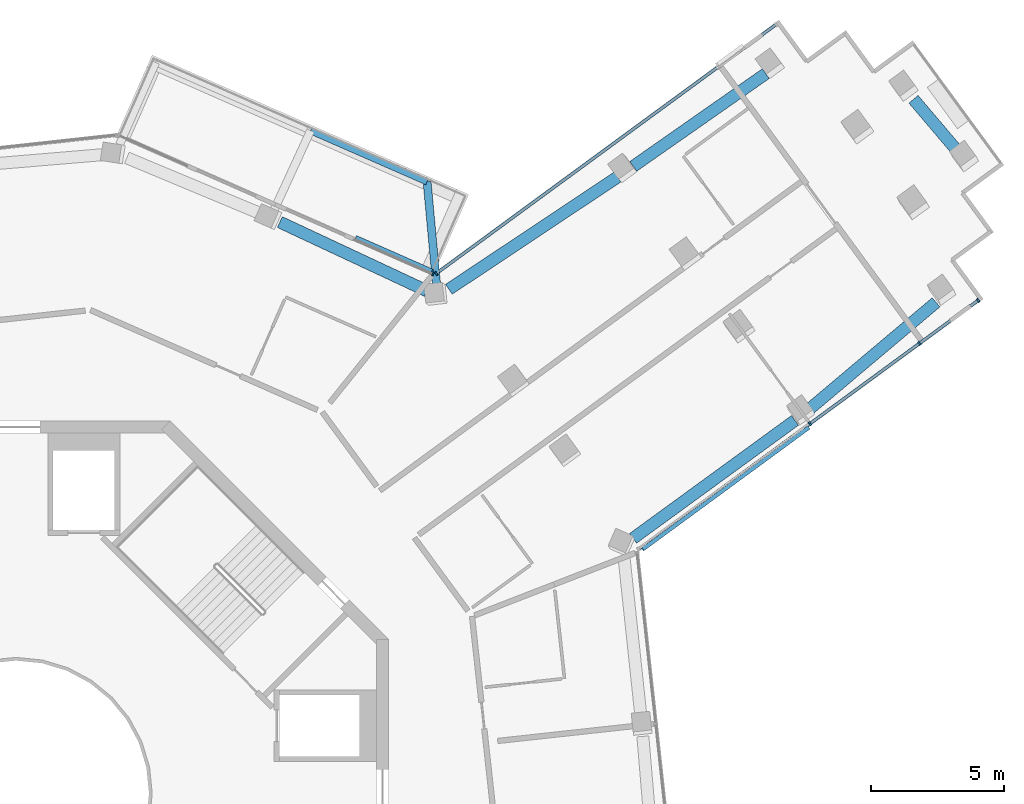
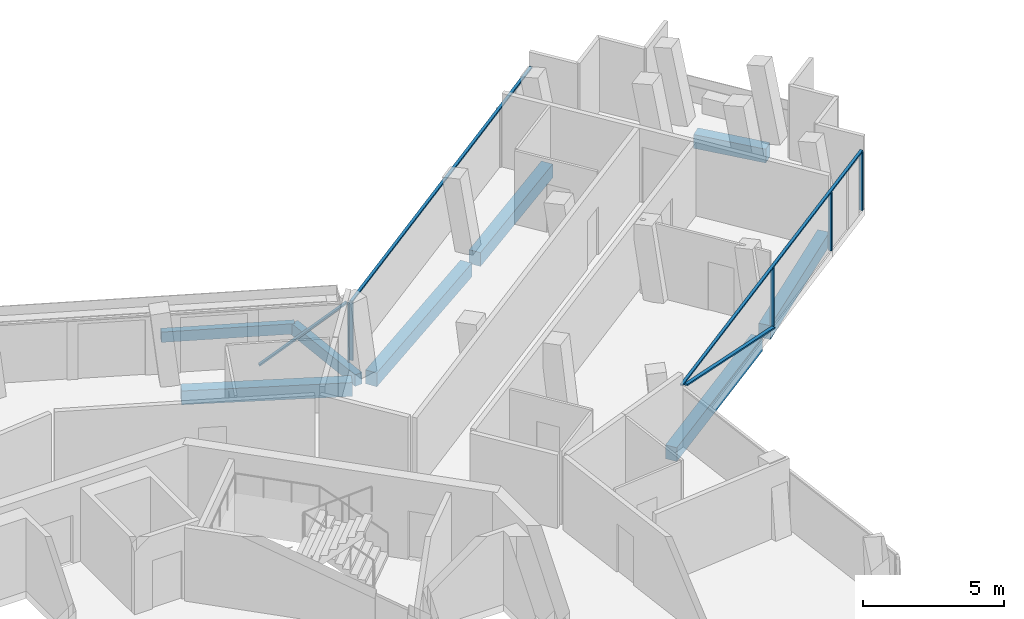
# One storey, part 9 of 24: 9 members, 8 beams, 3 elements without a shape of their own.
"""IFC4 building model written with IfcOpenShell, lengths in metres."""

from ifc_helpers import new_model, si_unit, direction, frame, origin, origin_2d, place, context, subcontext, project, spatial, rectangle, extrude, material, layer, layer_set, material_profile, profile_set, type_object, element, aggregate, save


model = new_model("IFC4")

# Units and contexts
model_context = context("Model", 3, precision=1e-05, world=origin(), true_north=direction((0.0, 1.0)))
body_context = subcontext(model_context, "Body", "Model", "MODEL_VIEW")
ifc_project = project(units=[si_unit("LENGTHUNIT", "METRE"), si_unit("AREAUNIT", "SQUARE_METRE"), si_unit("VOLUMEUNIT", "CUBIC_METRE"), si_unit("PLANEANGLEUNIT", "RADIAN"), si_unit("MASSUNIT", "GRAM", prefix="KILO")], contexts=[model_context])

# Site, building, storey
site_placement = place(None, origin())
site = spatial("IfcSite", under=ifc_project, at=site_placement, CompositionType="ELEMENT")
building_placement = place(site_placement, origin())
building = spatial("IfcBuilding", under=site, at=building_placement, Name="Verdalira Terraces Hotel", CompositionType="ELEMENT")
storey_placement = place(building_placement, frame((0.0, 0.0, 303.0)))
storey = spatial("IfcBuildingStorey", under=building, at=storey_placement, Name="L75", CompositionType="ELEMENT", Elevation=303.0)

# Beams
ifc_material_1 = material(Name="Concrete C40", Category="concrete")
ifc_material_profile_1 = material_profile(ifc_material_1, rectangle(XDim=0.300049, YDim=0.5, at=origin_2d()), Name="RC 300X500")
ifc_profile_set_1 = profile_set([ifc_material_profile_1], Name="Concrete C40")
beam_type_1 = type_object("IfcBeamType", Name="Balcony cantilever beam RC 300X500 C40", PredefinedType="BEAM", material=ifc_profile_set_1)
beam_1_placement = place(storey_placement, frame((15.811279, 19.058594, -0.560059), z_axis=(-0.09202912, 0.995756316, 0.0), x_axis=(-0.995756316, -0.09202912, 0.0)))
element("IfcBeam", 1, at=beam_1_placement, inside=storey, type_object=beam_type_1, Name="Balcony cantilever beam R39-1", PredefinedType="BEAM", context=body_context, shape_type="SweptSolid", body=[
    extrude(rectangle(XDim=0.300049, YDim=0.5, at=origin_2d()), origin(), (0.0, 0.0, 1.0), 3.950195),
])
ifc_material_2 = material(Name="Concrete C40", Category="concrete")
ifc_material_profile_2 = material_profile(ifc_material_2, rectangle(XDim=0.25, YDim=0.449951, at=origin_2d()), Name="RC 250X450")
ifc_profile_set_2 = profile_set([ifc_material_profile_2], Name="Concrete C40")
beam_type_2 = type_object("IfcBeamType", Name="Balcony edge beam RC 250X450 C40", PredefinedType="BEAM", material=ifc_profile_set_2)
beam_2_placement = place(storey_placement, frame((15.447754, 22.991943, -0.534912), z_axis=(-0.915993127, 0.401193956, 0.0), x_axis=(-0.401193956, -0.915993127, 0.0)))
element("IfcBeam", 2, at=beam_2_placement, inside=storey, type_object=beam_type_2, Name="Balcony edge beam R39-1", PredefinedType="BEAM", context=body_context, shape_type="SweptSolid", body=[
    extrude(rectangle(XDim=0.25, YDim=0.449951, at=origin_2d()), origin(), (0.0, 0.0, 1.0), 4.779541),
])

# Curtain wall, member
ifc_material_3 = material(Name="Clear glass", Category="glass")
ifc_layer_1 = layer(ifc_material_3, 0.14990234375)
ifc_layer_set_1 = layer_set([ifc_layer_1], Name="CW1 curtain wall")
curtain_wall_type_1 = type_object("IfcCurtainWallType", Name="CW1 curtain wall", PredefinedType="NOTDEFINED", material=ifc_layer_set_1)
curtain_wall_1_placement = place(storey_placement, origin())
curtain_wall_1 = element("IfcCurtainWall", 3, at=curtain_wall_1_placement, inside=storey, type_object=curtain_wall_type_1, Name="CW1 curtain wall L75 edge 39", PredefinedType="NOTDEFINED")
ifc_material_4 = material(Name="Terracotta frame", Category="masonry")
ifc_material_profile_3 = material_profile(ifc_material_4, rectangle(XDim=0.060059, YDim=0.149902, at=origin_2d()), Name="MU 60x150")
ifc_profile_set_3 = profile_set([ifc_material_profile_3], Name="Terracotta frame")
member_type_1 = type_object("IfcMemberType", Name="CW1 mullion 60x150", PredefinedType="MULLION", material=ifc_profile_set_3)
member_1_placement = place(storey_placement, frame((15.665283, 19.526855, 0.0), z_axis=(0.0, 0.0, 1.0), x_axis=(-0.915241173, 0.402906436, 0.0)))
member_1 = element("IfcMember", 4, at=member_1_placement, type_object=member_type_1, Name="CW1 mullion", PredefinedType="MULLION", context=body_context, shape_type="SweptSolid", body=[
    extrude(rectangle(XDim=0.060059, YDim=0.149902, at=origin_2d()), origin(), (0.0, 0.0, 1.0), 2.524902),
])

# Curtain wall, members
ifc_material_5 = material(Name="Clear glass", Category="glass")
ifc_layer_2 = layer(ifc_material_5, 0.14990234375)
ifc_layer_set_2 = layer_set([ifc_layer_2], Name="CW2 curtain wall")
curtain_wall_type_2 = type_object("IfcCurtainWallType", Name="CW2 curtain wall", PredefinedType="NOTDEFINED", material=ifc_layer_set_2)
curtain_wall_2_placement = place(storey_placement, origin())
curtain_wall_2 = element("IfcCurtainWall", 5, at=curtain_wall_2_placement, inside=storey, type_object=curtain_wall_type_2, Name="CW2 curtain wall L75 edge 28", PredefinedType="NOTDEFINED")
ifc_material_6 = material(Name="Terracotta frame", Category="masonry")
ifc_material_profile_4 = material_profile(ifc_material_6, rectangle(XDim=0.070068, YDim=0.149902, at=origin_2d()), Name="MU 70x150")
ifc_profile_set_4 = profile_set([ifc_material_profile_4], Name="Terracotta frame")
member_type_2 = type_object("IfcMemberType", Name="CW2 mullion 70x150", PredefinedType="MULLION", material=ifc_profile_set_4)
member_2_placement = place(storey_placement, frame((29.834473, 13.901367, 0.0), z_axis=(0.0, 0.0, 1.0), x_axis=(0.806547795, 0.591168888, 0.0)))
member_2 = element("IfcMember", 6, at=member_2_placement, type_object=member_type_2, Name="CW2 mullion", PredefinedType="MULLION", context=body_context, shape_type="SweptSolid", body=[
    extrude(rectangle(XDim=0.070068, YDim=0.149902, at=origin_2d()), origin(), (0.0, 0.0, 1.0), 2.524902),
])
member_3_placement = place(storey_placement, frame((33.949951, 16.917969, 0.0), z_axis=(0.0, 0.0, 1.0), x_axis=(0.806547795, 0.591168888, 0.0)))
member_3 = element("IfcMember", 7, at=member_3_placement, type_object=member_type_2, Name="CW2 mullion", PredefinedType="MULLION", context=body_context, shape_type="SweptSolid", body=[
    extrude(rectangle(XDim=0.070068, YDim=0.149902, at=origin_2d()), origin(), (0.0, 0.0, 1.0), 2.524902),
])
member_4_placement = place(storey_placement, frame((36.155762, 18.534668, 0.0), z_axis=(0.0, 0.0, 1.0), x_axis=(0.806547795, 0.591168888, 0.0)))
member_4 = element("IfcMember", 8, at=member_4_placement, type_object=member_type_2, Name="CW2 mullion", PredefinedType="MULLION", context=body_context, shape_type="SweptSolid", body=[
    extrude(rectangle(XDim=0.070068, YDim=0.149902, at=origin_2d()), origin(), (0.0, 0.0, 1.0), 2.524902),
])

# Curtain wall, member
curtain_wall_3_placement = place(storey_placement, origin())
curtain_wall_3 = element("IfcCurtainWall", 9, at=curtain_wall_3_placement, inside=storey, type_object=curtain_wall_type_2, Name="CW2 curtain wall L75 edge 38", PredefinedType="NOTDEFINED")
member_5_placement = place(storey_placement, frame((15.79541, 19.543457, 0.0), z_axis=(0.0, 0.0, 1.0), x_axis=(-0.806547795, -0.591168888, 0.0)))
member_5 = element("IfcMember", 10, at=member_5_placement, type_object=member_type_2, Name="CW2 mullion", PredefinedType="MULLION", context=body_context, shape_type="SweptSolid", body=[
    extrude(rectangle(XDim=0.070068, YDim=0.149902, at=origin_2d()), origin(), (0.0, 0.0, 1.0), 2.524902),
])

# Member
ifc_material_7 = material(Name="Terracotta frame", Category="masonry")
ifc_material_profile_5 = material_profile(ifc_material_7, rectangle(XDim=0.11499, YDim=0.064941, at=origin_2d()), Name="TR 65x115")
ifc_profile_set_5 = profile_set([ifc_material_profile_5], Name="Terracotta frame")
member_type_3 = type_object("IfcMemberType", Name="CW2 transom 65x115", PredefinedType="USERDEFINED", material=ifc_profile_set_5)
member_6_placement = place(storey_placement, frame((23.36377, 9.158691, 2.557617), z_axis=(0.806549998, 0.591165883, 0.0), x_axis=(-0.591165883, 0.806549998, 0.0)))
member_6 = element("IfcMember", 11, at=member_6_placement, type_object=member_type_3, Name="CW2 transom", ObjectType="TRANSOM", PredefinedType="USERDEFINED", context=body_context, shape_type="SweptSolid", body=[
    extrude(rectangle(XDim=0.11499, YDim=0.064941, at=origin_2d()), origin(), (0.0, 0.0, 1.0), 15.895264),
])

member_7_placement = place(storey_placement, frame((28.587402, 28.919678, 2.557617), z_axis=(-0.80654463, -0.591173207, 0.0), x_axis=(0.591173207, -0.80654463, 0.0)))
member_7 = element("IfcMember", 12, at=member_7_placement, type_object=member_type_3, Name="CW2 transom", ObjectType="TRANSOM", PredefinedType="USERDEFINED", context=body_context, shape_type="SweptSolid", body=[
    extrude(rectangle(XDim=0.11499, YDim=0.064941, at=origin_2d()), origin(), (0.0, 0.0, 1.0), 15.89502),
])

aggregate(curtain_wall_3, [member_5, member_7])

ifc_material_8 = material(Name="Terracotta frame", Category="masonry")
ifc_material_profile_6 = material_profile(ifc_material_8, rectangle(XDim=0.149902, YDim=0.060059, at=origin_2d()), Name="GB 60x150")
ifc_profile_set_6 = profile_set([ifc_material_profile_6], Name="Terracotta frame")
member_type_4 = type_object("IfcMemberType", Name="Diagonal glazing bar 60x150", PredefinedType="USERDEFINED", material=ifc_profile_set_6)
member_8_placement = place(storey_placement, frame((23.547852, 9.180908, 2.49585), z_axis=(0.768428799, 0.563209711, -0.303828904), x_axis=(-0.591155641, 0.806557504, 0.0)))
member_8 = element("IfcMember", 13, at=member_8_placement, type_object=member_type_4, Name="Diagonal glazing bar", ObjectType="GLAZING BAR", PredefinedType="USERDEFINED", context=body_context, shape_type="SweptSolid", body=[
    extrude(rectangle(XDim=0.149902, YDim=0.060059, at=origin_2d()), origin(), (0.0, 0.0, 1.0), 8.118164),
])

aggregate(curtain_wall_2, [member_2, member_3, member_4, member_6, member_8])

member_9_placement = place(storey_placement, frame((15.64502, 19.632812, 2.500244), z_axis=(-0.717607324, 0.315957779, -0.620653213), x_axis=(-0.402963584, -0.915216013, 0.0)))
member_9 = element("IfcMember", 14, at=member_9_placement, type_object=member_type_4, Name="Diagonal glazing bar", ObjectType="GLAZING BAR", PredefinedType="USERDEFINED", context=body_context, shape_type="SweptSolid", body=[
    extrude(rectangle(XDim=0.149902, YDim=0.060059, at=origin_2d()), origin(), (0.0, 0.0, 1.0), 3.98877),
])

aggregate(curtain_wall_1, [member_1, member_9])

# Beams
ifc_material_9 = material(Name="Concrete C40", Category="concrete")
ifc_material_profile_7 = material_profile(ifc_material_9, rectangle(XDim=0.449951, YDim=0.600098, at=origin_2d()), Name="RC 450X600")
ifc_profile_set_7 = profile_set([ifc_material_profile_7], Name="Concrete C40")
beam_type_3 = type_object("IfcBeamType", Name="Spandrel beam RC 450X600 C40", PredefinedType="SPANDREL", material=ifc_profile_set_7)
beam_3_placement = place(storey_placement, frame((23.185791, 9.591064, -0.610107), z_axis=(0.808267369, 0.588815642, 0.0), x_axis=(-0.588815642, 0.808267369, 0.0)))
element("IfcBeam", 15, at=beam_3_placement, inside=storey, type_object=beam_type_3, Name="Spandrel beam B19", PredefinedType="SPANDREL", context=body_context, shape_type="SweptSolid", body=[
    extrude(rectangle(XDim=0.449951, YDim=0.600098, at=origin_2d()), origin(), (0.0, 0.0, 1.0), 7.5271),
])
beam_4_placement = place(storey_placement, frame((29.845947, 14.476074, -0.610107), z_axis=(0.76464899, 0.64444699, 0.0), x_axis=(-0.64444699, 0.76464899, 0.0)))
element("IfcBeam", 16, at=beam_4_placement, inside=storey, type_object=beam_type_3, Name="Spandrel beam B20", PredefinedType="SPANDREL", context=body_context, shape_type="SweptSolid", body=[
    extrude(rectangle(XDim=0.449951, YDim=0.600098, at=origin_2d()), origin(), (0.0, 0.0, 1.0), 6.182617),
])
beam_5_placement = place(storey_placement, frame((35.491211, 24.009766, -0.610107), z_axis=(-0.647419999, 0.762133417, 0.0), x_axis=(-0.762133417, -0.647419999, 0.0)))
element("IfcBeam", 17, at=beam_5_placement, inside=storey, type_object=beam_type_3, Name="Spandrel beam B21", PredefinedType="SPANDREL", context=body_context, shape_type="SweptSolid", body=[
    extrude(rectangle(XDim=0.449951, YDim=0.600098, at=origin_2d()), origin(), (0.0, 0.0, 1.0), 2.730469),
])
beam_6_placement = place(storey_placement, frame((28.173096, 27.052246, -0.610107), z_axis=(-0.819392245, -0.573233242, 0.0), x_axis=(0.573233242, -0.819392245, 0.0)))
element("IfcBeam", 18, at=beam_6_placement, inside=storey, type_object=beam_type_3, Name="Spandrel beam B22", PredefinedType="SPANDREL", context=body_context, shape_type="SweptSolid", body=[
    extrude(rectangle(XDim=0.449951, YDim=0.600098, at=origin_2d()), origin(), (0.0, 0.0, 1.0), 6.079834),
])
beam_7_placement = place(storey_placement, frame((22.603516, 23.16626, -0.610107), z_axis=(-0.83262217, -0.553841423, 0.0), x_axis=(0.553841423, -0.83262217, 0.0)))
element("IfcBeam", 19, at=beam_7_placement, inside=storey, type_object=beam_type_3, Name="Spandrel beam B23", PredefinedType="SPANDREL", context=body_context, shape_type="SweptSolid", body=[
    extrude(rectangle(XDim=0.449951, YDim=0.600098, at=origin_2d()), origin(), (0.0, 0.0, 1.0), 7.612793),
])
beam_8_placement = place(storey_placement, frame((15.436279, 18.890381, -0.610107), z_axis=(-0.905684339, 0.423952685, 0.0), x_axis=(-0.423952685, -0.905684339, 0.0)))
element("IfcBeam", 20, at=beam_8_placement, inside=storey, type_object=beam_type_3, Name="Spandrel beam B24", PredefinedType="SPANDREL", context=body_context, shape_type="SweptSolid", body=[
    extrude(rectangle(XDim=0.449951, YDim=0.600098, at=origin_2d()), origin(), (0.0, 0.0, 1.0), 6.097168),
])

save(model, "model.ifc")
